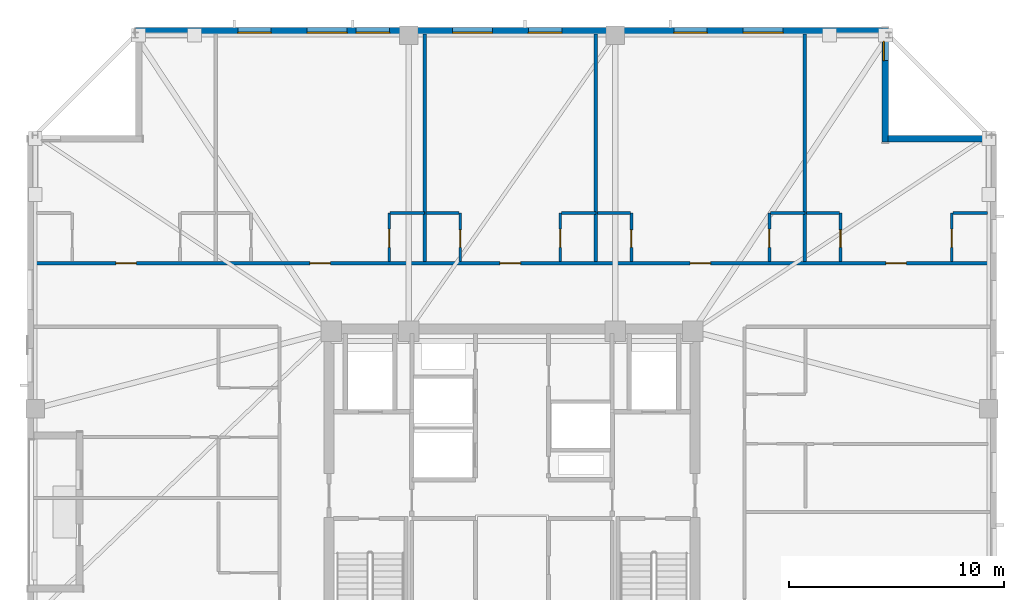
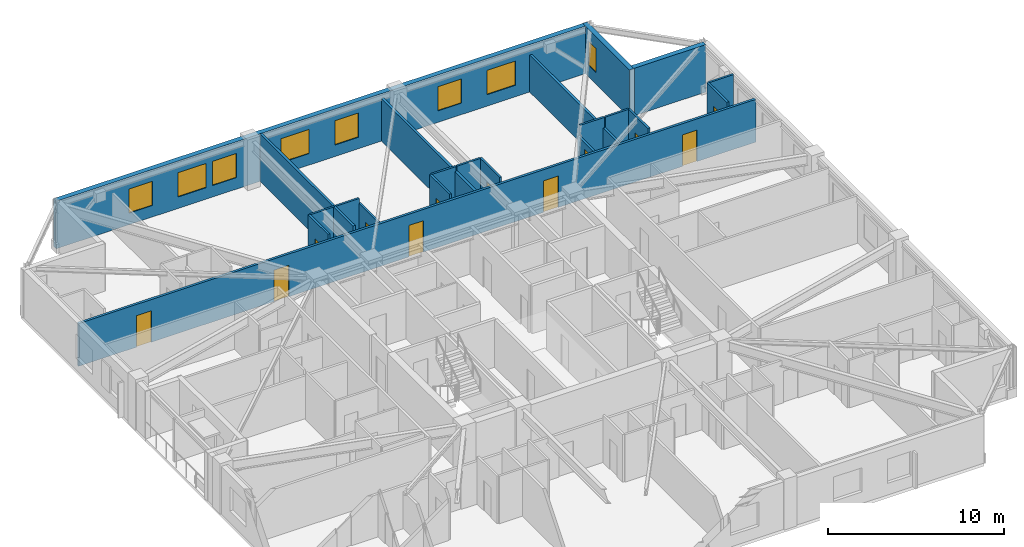
# One storey, part 11 of 17: 21 walls, 12 doors, 8 windows, 20 openings.
"""IFC4 building model written with IfcOpenShell, lengths in metres."""

from ifc_helpers import new_model, si_unit, direction, frame, frame_2d, origin, place, context, subcontext, project, spatial, rectangle, extrude, material, layer, layer_set, type_object, element, fill, save


model = new_model("IFC4")

# Units and contexts
model_context = context("Model", 3, precision=1e-05, world=origin(), true_north=direction((0.0, 1.0)))
body_context = subcontext(model_context, "Body", "Model", "MODEL_VIEW")
ifc_project = project(units=[si_unit("LENGTHUNIT", "METRE"), si_unit("AREAUNIT", "SQUARE_METRE"), si_unit("VOLUMEUNIT", "CUBIC_METRE"), si_unit("PLANEANGLEUNIT", "RADIAN"), si_unit("MASSUNIT", "GRAM", prefix="KILO")], contexts=[model_context])

# Site, building, storey
site_placement = place(None, origin())
site = spatial("IfcSite", under=ifc_project, at=site_placement, CompositionType="ELEMENT")
building_placement = place(site_placement, origin())
building = spatial("IfcBuilding", under=site, at=building_placement, Name="Cairnveth Concourse Tower", CompositionType="ELEMENT")
storey_placement = place(building_placement, frame((0.0, 0.0, 241.0)))
storey = spatial("IfcBuildingStorey", under=building, at=storey_placement, Name="L66", CompositionType="ELEMENT", Elevation=241.0)

# Wall, openings, doors
ifc_material_1 = material(Name="Gypsum Plasterboard Partition", Category="gypsum")
ifc_layer_1 = layer(ifc_material_1, 0.159912109375)
ifc_layer_set_1 = layer_set([ifc_layer_1], Name="Gypsum Plasterboard Partition")
wall_type_1 = type_object("IfcWallType", Name="ACOUSTIC PARTY WALL 180", PredefinedType="PARTITIONING", material=ifc_layer_set_1)
wall_1_placement = place(storey_placement, frame((29.804931640625, 50.5576171875, 0.0), z_axis=(0.0, 0.0, 1.0), x_axis=(1.0, 0.0, 0.0)))
wall_1 = element("IfcWall", 1, at=wall_1_placement, inside=storey, type_object=wall_type_1, Name="Interior Wall IW-L66-035", PredefinedType="PARTITIONING", context=body_context, shape_type="SweptSolid", body=[
    extrude(rectangle(XDim=44.39013671875, YDim=0.159912109375, at=frame_2d((22.195068359375, 0.0))), origin(), (0.0, 0.0, 1.0), 2.9580078125),
])
opening_1_placement = place(wall_1_placement, frame((3.791015625, 0.0, 0.0)))
opening_1 = element("IfcOpeningElement", 2, at=opening_1_placement, cuts=wall_1, Name="Opening ID10", PredefinedType="OPENING", context=body_context, shape_type="SweptSolid", body=[
    extrude(rectangle(XDim=0.9599609375, YDim=2.179931640625, at=frame_2d((0.47998046875, 1.08984375))), frame((0.0, 0.08984375, 0.0), z_axis=(0.0, -1.0, 0.0), x_axis=(1.0, 0.0, 0.0)), (0.0, 0.0, 1.0), 0.179931640625),
])
opening_2_placement = place(wall_1_placement, frame((12.802978515625, 0.0, 0.0)))
opening_2 = element("IfcOpeningElement", 3, at=opening_2_placement, cuts=wall_1, Name="Opening ID10", PredefinedType="OPENING", context=body_context, shape_type="SweptSolid", body=[
    extrude(rectangle(XDim=0.9599609375, YDim=2.179931640625, at=frame_2d((0.47998046875, 1.08984375))), frame((0.0, 0.08984375, 0.0), z_axis=(0.0, -1.0, 0.0), x_axis=(1.0, 0.0, 0.0)), (0.0, 0.0, 1.0), 0.179931640625),
])
opening_3_placement = place(wall_1_placement, frame((21.635009765625, 0.0, 0.0)))
opening_3 = element("IfcOpeningElement", 4, at=opening_3_placement, cuts=wall_1, Name="Opening ID10", PredefinedType="OPENING", context=body_context, shape_type="SweptSolid", body=[
    extrude(rectangle(XDim=0.9599609375, YDim=2.179931640625, at=frame_2d((0.47998046875, 1.08984375))), frame((0.0, 0.08984375, 0.0), z_axis=(0.0, -1.0, 0.0), x_axis=(1.0, 0.0, 0.0)), (0.0, 0.0, 1.0), 0.179931640625),
])
opening_4_placement = place(wall_1_placement, frame((30.467041015625, 0.0, 0.0)))
opening_4 = element("IfcOpeningElement", 5, at=opening_4_placement, cuts=wall_1, Name="Opening ID10", PredefinedType="OPENING", context=body_context, shape_type="SweptSolid", body=[
    extrude(rectangle(XDim=0.9599609375, YDim=2.179931640625, at=frame_2d((0.47998046875, 1.08984375))), frame((0.0, 0.08984375, 0.0), z_axis=(0.0, -1.0, 0.0), x_axis=(1.0, 0.0, 0.0)), (0.0, 0.0, 1.0), 0.179931640625),
])
opening_5_placement = place(wall_1_placement, frame((39.55908203125, 0.0, 0.0)))
opening_5 = element("IfcOpeningElement", 6, at=opening_5_placement, cuts=wall_1, Name="Opening ID10", PredefinedType="OPENING", context=body_context, shape_type="SweptSolid", body=[
    extrude(rectangle(XDim=0.9599609375, YDim=2.179931640625, at=frame_2d((0.47998046875, 1.08984375))), frame((0.0, 0.08984375, 0.0), z_axis=(0.0, -1.0, 0.0), x_axis=(1.0, 0.0, 0.0)), (0.0, 0.0, 1.0), 0.179931640625),
])
ifc_material_2 = material(Name="Solid Core Hardwood Timber Leaf", Category="wood")
door_type_1 = type_object("IfcDoorType", Name="FLAT ENTRANCE DOOR 960X2150", OperationType="NOTDEFINED", PredefinedType="DOOR", material=ifc_material_2)
door_1_placement = place(opening_1_placement, origin())
door_1 = element("IfcDoor", 7, at=door_1_placement, inside=storey, type_object=door_type_1, Name="Studio L66STN1 Entrance Door", OperationType="SINGLE_SWING_LEFT", OverallHeight=2.179931640625, OverallWidth=0.9599609375, PredefinedType="DOOR", context=body_context, shape_type="SweptSolid", body=[
    extrude(rectangle(XDim=0.9599609375, YDim=2.179931640625, at=frame_2d((0.47998046875, 1.08984375))), frame((0.0, 0.02490234375, 0.0), z_axis=(0.0, -1.0, 0.0), x_axis=(1.0, 0.0, 0.0)), (0.0, 0.0, 1.0), 0.050048828125),
])
fill(opening_1, door_1)
door_2_placement = place(opening_2_placement, origin())
door_2 = element("IfcDoor", 8, at=door_2_placement, inside=storey, type_object=door_type_1, Name="Studio L66STN2 Entrance Door", OperationType="SINGLE_SWING_RIGHT", OverallHeight=2.179931640625, OverallWidth=0.9599609375, PredefinedType="DOOR", context=body_context, shape_type="SweptSolid", body=[
    extrude(rectangle(XDim=0.9599609375, YDim=2.179931640625, at=frame_2d((0.47998046875, 1.08984375))), frame((0.0, 0.02490234375, 0.0), z_axis=(0.0, -1.0, 0.0), x_axis=(1.0, 0.0, 0.0)), (0.0, 0.0, 1.0), 0.050048828125),
])
fill(opening_2, door_2)
door_3_placement = place(opening_3_placement, origin())
door_3 = element("IfcDoor", 9, at=door_3_placement, inside=storey, type_object=door_type_1, Name="Studio L66STN3 Entrance Door", OperationType="SINGLE_SWING_LEFT", OverallHeight=2.179931640625, OverallWidth=0.9599609375, PredefinedType="DOOR", context=body_context, shape_type="SweptSolid", body=[
    extrude(rectangle(XDim=0.9599609375, YDim=2.179931640625, at=frame_2d((0.47998046875, 1.08984375))), frame((0.0, 0.02490234375, 0.0), z_axis=(0.0, -1.0, 0.0), x_axis=(1.0, 0.0, 0.0)), (0.0, 0.0, 1.0), 0.050048828125),
])
fill(opening_3, door_3)
door_4_placement = place(opening_4_placement, origin())
door_4 = element("IfcDoor", 10, at=door_4_placement, inside=storey, type_object=door_type_1, Name="Studio L66STN4 Entrance Door", OperationType="SINGLE_SWING_RIGHT", OverallHeight=2.179931640625, OverallWidth=0.9599609375, PredefinedType="DOOR", context=body_context, shape_type="SweptSolid", body=[
    extrude(rectangle(XDim=0.9599609375, YDim=2.179931640625, at=frame_2d((0.47998046875, 1.08984375))), frame((0.0, 0.02490234375, 0.0), z_axis=(0.0, -1.0, 0.0), x_axis=(1.0, 0.0, 0.0)), (0.0, 0.0, 1.0), 0.050048828125),
])
fill(opening_4, door_4)
door_5_placement = place(opening_5_placement, origin())
door_5 = element("IfcDoor", 11, at=door_5_placement, inside=storey, type_object=door_type_1, Name="Studio L66STN5 Entrance Door", OperationType="SINGLE_SWING_LEFT", OverallHeight=2.179931640625, OverallWidth=0.9599609375, PredefinedType="DOOR", context=body_context, shape_type="SweptSolid", body=[
    extrude(rectangle(XDim=0.9599609375, YDim=2.179931640625, at=frame_2d((0.47998046875, 1.08984375))), frame((0.0, 0.02490234375, 0.0), z_axis=(0.0, -1.0, 0.0), x_axis=(1.0, 0.0, 0.0)), (0.0, 0.0, 1.0), 0.050048828125),
])
fill(opening_5, door_5)

# Walls
wall_2_placement = place(storey_placement, frame((47.944091796875, 50.637451171875, 0.0), z_axis=(0.0, 0.0, 1.0), x_axis=(0.0, 1.0, 0.0)))
element("IfcWall", 12, at=wall_2_placement, inside=storey, type_object=wall_type_1, Name="Interior Wall IW-L66-080", PredefinedType="PARTITIONING", context=body_context, shape_type="SweptSolid", body=[
    extrude(rectangle(XDim=10.5576171875, YDim=0.159912109375, at=frame_2d((5.27880859375, 0.0))), origin(), (0.0, 0.0, 1.0), 3.2900390625),
])
wall_3_placement = place(storey_placement, frame((55.89599609375, 50.637451171875, 0.0), z_axis=(0.0, 0.0, 1.0), x_axis=(0.0, 1.0, 0.0)))
element("IfcWall", 13, at=wall_3_placement, inside=storey, type_object=wall_type_1, Name="Interior Wall IW-L66-085", PredefinedType="PARTITIONING", context=body_context, shape_type="SweptSolid", body=[
    extrude(rectangle(XDim=10.5576171875, YDim=0.159912109375, at=frame_2d((5.27880859375, 0.0))), origin(), (0.0, 0.0, 1.0), 2.9580078125),
])
wall_4_placement = place(storey_placement, frame((65.60791015625, 50.637451171875, 0.0), z_axis=(0.0, 0.0, 1.0), x_axis=(0.0, 1.0, 0.0)))
element("IfcWall", 14, at=wall_4_placement, inside=storey, type_object=wall_type_1, Name="Interior Wall IW-L66-090", PredefinedType="PARTITIONING", context=body_context, shape_type="SweptSolid", body=[
    extrude(rectangle(XDim=10.5576171875, YDim=0.159912109375, at=frame_2d((5.27880859375, 0.0))), origin(), (0.0, 0.0, 1.0), 2.572998046875),
])

# Wall, opening, door
ifc_layer_2 = layer(ifc_material_1, 0.1298828125)
ifc_layer_set_2 = layer_set([ifc_layer_2], Name="Gypsum Plasterboard Partition")
wall_type_2 = type_object("IfcWallType", Name="WET AREA PARTITION 140", PredefinedType="PLUMBINGWALL", material=ifc_layer_set_2)
wall_5_placement = place(storey_placement, frame((46.2939453125, 50.637451171875, 0.0), z_axis=(0.0, 0.0, 1.0), x_axis=(0.0, 1.0, 0.0)))
wall_5 = element("IfcWall", 15, at=wall_5_placement, inside=storey, type_object=wall_type_2, Name="Interior Wall IW-L66-078", PredefinedType="PLUMBINGWALL", context=body_context, shape_type="SweptSolid", body=[
    extrude(rectangle(XDim=2.25, YDim=0.1298828125, at=frame_2d((1.125, 0.0))), origin(), (0.0, 0.0, 1.0), 3.2900390625),
])
opening_6_placement = place(wall_5_placement, frame((0.64990234375, 0.0, 0.0)))
opening_6 = element("IfcOpeningElement", 16, at=opening_6_placement, cuts=wall_5, Name="Opening ID20", PredefinedType="OPENING", context=body_context, shape_type="SweptSolid", body=[
    extrude(rectangle(XDim=0.85009765625, YDim=2.10009765625, at=frame_2d((0.425048828125, 1.050048828125))), frame((0.0, 0.074951171875, 0.0), z_axis=(0.0, -1.0, 0.0), x_axis=(1.0, 0.0, 0.0)), (0.0, 0.0, 1.0), 0.14990234375),
])
door_type_2 = type_object("IfcDoorType", Name="INTERIOR SINGLE DOOR 850X2100", OperationType="NOTDEFINED", PredefinedType="DOOR", material=ifc_material_2)
door_6_placement = place(opening_6_placement, origin())
door_6 = element("IfcDoor", 17, at=door_6_placement, inside=storey, type_object=door_type_2, Name="L66STN2 Kitchen Door", OperationType="SINGLE_SWING_LEFT", OverallHeight=2.10009765625, OverallWidth=0.85009765625, PredefinedType="DOOR", context=body_context, shape_type="SweptSolid", body=[
    extrude(rectangle(XDim=0.85009765625, YDim=2.10009765625, at=frame_2d((0.425048828125, 1.050048828125))), frame((0.0, 0.02490234375, 0.0), z_axis=(0.0, -1.0, 0.0), x_axis=(1.0, 0.0, 0.0)), (0.0, 0.0, 1.0), 0.050048828125),
])
fill(opening_6, door_6)

# Wall
wall_6_placement = place(storey_placement, frame((46.343994140625, 52.887451171875, 0.0), z_axis=(0.0, 0.0, 1.0), x_axis=(1.0, 0.0, 0.0)))
element("IfcWall", 18, at=wall_6_placement, inside=storey, type_object=wall_type_2, Name="Interior Wall IW-L66-079", PredefinedType="PLUMBINGWALL", context=body_context, shape_type="SweptSolid", body=[
    extrude(rectangle(XDim=1.60009765625, YDim=0.1298828125, at=frame_2d((0.800048828125, 0.0))), origin(), (0.0, 0.0, 1.0), 3.2900390625),
])

# Wall, opening, door
wall_7_placement = place(storey_placement, frame((49.593994140625, 50.637451171875, 0.0), z_axis=(0.0, 0.0, 1.0), x_axis=(0.0, 1.0, 0.0)))
wall_7 = element("IfcWall", 19, at=wall_7_placement, inside=storey, type_object=wall_type_2, Name="Interior Wall IW-L66-081", PredefinedType="PLUMBINGWALL", context=body_context, shape_type="SweptSolid", body=[
    extrude(rectangle(XDim=2.25, YDim=0.1298828125, at=frame_2d((1.125, 0.0))), origin(), (0.0, 0.0, 1.0), 2.9580078125),
])
opening_7_placement = place(wall_7_placement, frame((0.64990234375, 0.0, 0.0)))
opening_7 = element("IfcOpeningElement", 20, at=opening_7_placement, cuts=wall_7, Name="Opening ID22", PredefinedType="OPENING", context=body_context, shape_type="SweptSolid", body=[
    extrude(rectangle(XDim=0.820068359375, YDim=2.10009765625, at=frame_2d((0.41015625, 1.050048828125))), frame((0.0, 0.074951171875, 0.0), z_axis=(0.0, -1.0, 0.0), x_axis=(1.0, 0.0, 0.0)), (0.0, 0.0, 1.0), 0.14990234375),
])
door_type_3 = type_object("IfcDoorType", Name="INTERIOR WC DOOR 820X2100", OperationType="NOTDEFINED", PredefinedType="DOOR", material=ifc_material_2)
door_7_placement = place(opening_7_placement, origin())
door_7 = element("IfcDoor", 21, at=door_7_placement, inside=storey, type_object=door_type_3, Name="L66STN3 Bathroom Door", OperationType="SINGLE_SWING_LEFT", OverallHeight=2.10009765625, OverallWidth=0.820068359375, PredefinedType="DOOR", context=body_context, shape_type="SweptSolid", body=[
    extrude(rectangle(XDim=0.820068359375, YDim=2.10009765625, at=frame_2d((0.41015625, 1.050048828125))), frame((0.0, 0.02490234375, 0.0), z_axis=(0.0, -1.0, 0.0), x_axis=(1.0, 0.0, 0.0)), (0.0, 0.0, 1.0), 0.050048828125),
])
fill(opening_7, door_7)

# Wall
wall_8_placement = place(storey_placement, frame((48.009033203125, 52.887451171875, 0.0), z_axis=(0.0, 0.0, 1.0), x_axis=(1.0, 0.0, 0.0)))
element("IfcWall", 22, at=wall_8_placement, inside=storey, type_object=wall_type_2, Name="Interior Wall IW-L66-082", PredefinedType="PLUMBINGWALL", context=body_context, shape_type="SweptSolid", body=[
    extrude(rectangle(XDim=1.534912109375, YDim=0.1298828125, at=frame_2d((0.767578125, 0.0))), origin(), (0.0, 0.0, 1.0), 3.2900390625),
])

# Wall, opening, door
wall_9_placement = place(storey_placement, frame((54.24609375, 50.637451171875, 0.0), z_axis=(0.0, 0.0, 1.0), x_axis=(0.0, 1.0, 0.0)))
wall_9 = element("IfcWall", 23, at=wall_9_placement, inside=storey, type_object=wall_type_2, Name="Interior Wall IW-L66-083", PredefinedType="PLUMBINGWALL", context=body_context, shape_type="SweptSolid", body=[
    extrude(rectangle(XDim=2.25, YDim=0.1298828125, at=frame_2d((1.125, 0.0))), origin(), (0.0, 0.0, 1.0), 3.2900390625),
])
opening_8_placement = place(wall_9_placement, frame((0.64990234375, 0.0, 0.0)))
opening_8 = element("IfcOpeningElement", 24, at=opening_8_placement, cuts=wall_9, Name="Opening ID20", PredefinedType="OPENING", context=body_context, shape_type="SweptSolid", body=[
    extrude(rectangle(XDim=0.85009765625, YDim=2.10009765625, at=frame_2d((0.425048828125, 1.050048828125))), frame((0.0, 0.074951171875, 0.0), z_axis=(0.0, -1.0, 0.0), x_axis=(1.0, 0.0, 0.0)), (0.0, 0.0, 1.0), 0.14990234375),
])
door_8_placement = place(opening_8_placement, origin())
door_8 = element("IfcDoor", 25, at=door_8_placement, inside=storey, type_object=door_type_2, Name="L66STN3 Kitchen Door", OperationType="SINGLE_SWING_RIGHT", OverallHeight=2.10009765625, OverallWidth=0.85009765625, PredefinedType="DOOR", context=body_context, shape_type="SweptSolid", body=[
    extrude(rectangle(XDim=0.85009765625, YDim=2.10009765625, at=frame_2d((0.425048828125, 1.050048828125))), frame((0.0, 0.02490234375, 0.0), z_axis=(0.0, -1.0, 0.0), x_axis=(1.0, 0.0, 0.0)), (0.0, 0.0, 1.0), 0.050048828125),
])
fill(opening_8, door_8)

# Wall
wall_10_placement = place(storey_placement, frame((54.2958984375, 52.887451171875, 0.0), z_axis=(0.0, 0.0, 1.0), x_axis=(1.0, 0.0, 0.0)))
element("IfcWall", 26, at=wall_10_placement, inside=storey, type_object=wall_type_2, Name="Interior Wall IW-L66-084", PredefinedType="PLUMBINGWALL", context=body_context, shape_type="SweptSolid", body=[
    extrude(rectangle(XDim=1.60009765625, YDim=0.1298828125, at=frame_2d((0.800048828125, 0.0))), origin(), (0.0, 0.0, 1.0), 3.2900390625),
])

# Wall, opening, door
wall_11_placement = place(storey_placement, frame((57.5458984375, 50.637451171875, 0.0), z_axis=(0.0, 0.0, 1.0), x_axis=(0.0, 1.0, 0.0)))
wall_11 = element("IfcWall", 27, at=wall_11_placement, inside=storey, type_object=wall_type_2, Name="Interior Wall IW-L66-086", PredefinedType="PLUMBINGWALL", context=body_context, shape_type="SweptSolid", body=[
    extrude(rectangle(XDim=2.25, YDim=0.1298828125, at=frame_2d((1.125, 0.0))), origin(), (0.0, 0.0, 1.0), 3.2900390625),
])
opening_9_placement = place(wall_11_placement, frame((0.64990234375, 0.0, 0.0)))
opening_9 = element("IfcOpeningElement", 28, at=opening_9_placement, cuts=wall_11, Name="Opening ID22", PredefinedType="OPENING", context=body_context, shape_type="SweptSolid", body=[
    extrude(rectangle(XDim=0.820068359375, YDim=2.10009765625, at=frame_2d((0.41015625, 1.050048828125))), frame((0.0, 0.074951171875, 0.0), z_axis=(0.0, -1.0, 0.0), x_axis=(1.0, 0.0, 0.0)), (0.0, 0.0, 1.0), 0.14990234375),
])
door_9_placement = place(opening_9_placement, origin())
door_9 = element("IfcDoor", 29, at=door_9_placement, inside=storey, type_object=door_type_3, Name="L66STN4 Bathroom Door", OperationType="SINGLE_SWING_RIGHT", OverallHeight=2.10009765625, OverallWidth=0.820068359375, PredefinedType="DOOR", context=body_context, shape_type="SweptSolid", body=[
    extrude(rectangle(XDim=0.820068359375, YDim=2.10009765625, at=frame_2d((0.41015625, 1.050048828125))), frame((0.0, 0.02490234375, 0.0), z_axis=(0.0, -1.0, 0.0), x_axis=(1.0, 0.0, 0.0)), (0.0, 0.0, 1.0), 0.050048828125),
])
fill(opening_9, door_9)

# Wall
wall_12_placement = place(storey_placement, frame((55.9609375, 52.887451171875, 0.0), z_axis=(0.0, 0.0, 1.0), x_axis=(1.0, 0.0, 0.0)))
element("IfcWall", 30, at=wall_12_placement, inside=storey, type_object=wall_type_2, Name="Interior Wall IW-L66-087", PredefinedType="PLUMBINGWALL", context=body_context, shape_type="SweptSolid", body=[
    extrude(rectangle(XDim=1.53515625, YDim=0.1298828125, at=frame_2d((0.767578125, 0.0))), origin(), (0.0, 0.0, 1.0), 3.2900390625),
])

# Wall, opening, door
wall_13_placement = place(storey_placement, frame((63.9580078125, 50.637451171875, 0.0), z_axis=(0.0, 0.0, 1.0), x_axis=(0.0, 1.0, 0.0)))
wall_13 = element("IfcWall", 31, at=wall_13_placement, inside=storey, type_object=wall_type_2, Name="Interior Wall IW-L66-088", PredefinedType="PLUMBINGWALL", context=body_context, shape_type="SweptSolid", body=[
    extrude(rectangle(XDim=2.25, YDim=0.1298828125, at=frame_2d((1.125, 0.0))), origin(), (0.0, 0.0, 1.0), 2.572998046875),
])
opening_10_placement = place(wall_13_placement, frame((0.64990234375, 0.0, 0.0)))
opening_10 = element("IfcOpeningElement", 32, at=opening_10_placement, cuts=wall_13, Name="Opening ID20", PredefinedType="OPENING", context=body_context, shape_type="SweptSolid", body=[
    extrude(rectangle(XDim=0.85009765625, YDim=2.10009765625, at=frame_2d((0.425048828125, 1.050048828125))), frame((0.0, 0.074951171875, 0.0), z_axis=(0.0, -1.0, 0.0), x_axis=(1.0, 0.0, 0.0)), (0.0, 0.0, 1.0), 0.14990234375),
])
door_10_placement = place(opening_10_placement, origin())
door_10 = element("IfcDoor", 33, at=door_10_placement, inside=storey, type_object=door_type_2, Name="L66STN4 Kitchen Door", OperationType="SINGLE_SWING_LEFT", OverallHeight=2.10009765625, OverallWidth=0.85009765625, PredefinedType="DOOR", context=body_context, shape_type="SweptSolid", body=[
    extrude(rectangle(XDim=0.85009765625, YDim=2.10009765625, at=frame_2d((0.425048828125, 1.050048828125))), frame((0.0, 0.02490234375, 0.0), z_axis=(0.0, -1.0, 0.0), x_axis=(1.0, 0.0, 0.0)), (0.0, 0.0, 1.0), 0.050048828125),
])
fill(opening_10, door_10)

# Wall
wall_14_placement = place(storey_placement, frame((64.008056640625, 52.887451171875, 0.0), z_axis=(0.0, 0.0, 1.0), x_axis=(1.0, 0.0, 0.0)))
element("IfcWall", 34, at=wall_14_placement, inside=storey, type_object=wall_type_2, Name="Interior Wall IW-L66-089", PredefinedType="PLUMBINGWALL", context=body_context, shape_type="SweptSolid", body=[
    extrude(rectangle(XDim=1.599853515625, YDim=0.1298828125, at=frame_2d((0.7998046875, 0.0))), origin(), (0.0, 0.0, 1.0), 3.2900390625),
])

# Wall, opening, door
wall_15_placement = place(storey_placement, frame((67.258056640625, 50.637451171875, 0.0), z_axis=(0.0, 0.0, 1.0), x_axis=(0.0, 1.0, 0.0)))
wall_15 = element("IfcWall", 35, at=wall_15_placement, inside=storey, type_object=wall_type_2, Name="Interior Wall IW-L66-091", PredefinedType="PLUMBINGWALL", context=body_context, shape_type="SweptSolid", body=[
    extrude(rectangle(XDim=2.25, YDim=0.1298828125, at=frame_2d((1.125, 0.0))), origin(), (0.0, 0.0, 1.0), 3.2900390625),
])
opening_11_placement = place(wall_15_placement, frame((0.64990234375, 0.0, 0.0)))
opening_11 = element("IfcOpeningElement", 36, at=opening_11_placement, cuts=wall_15, Name="Opening ID22", PredefinedType="OPENING", context=body_context, shape_type="SweptSolid", body=[
    extrude(rectangle(XDim=0.820068359375, YDim=2.10009765625, at=frame_2d((0.41015625, 1.050048828125))), frame((0.0, 0.074951171875, 0.0), z_axis=(0.0, -1.0, 0.0), x_axis=(1.0, 0.0, 0.0)), (0.0, 0.0, 1.0), 0.14990234375),
])
door_11_placement = place(opening_11_placement, origin())
door_11 = element("IfcDoor", 37, at=door_11_placement, inside=storey, type_object=door_type_3, Name="L66STN5 Bathroom Door", OperationType="SINGLE_SWING_LEFT", OverallHeight=2.10009765625, OverallWidth=0.820068359375, PredefinedType="DOOR", context=body_context, shape_type="SweptSolid", body=[
    extrude(rectangle(XDim=0.820068359375, YDim=2.10009765625, at=frame_2d((0.41015625, 1.050048828125))), frame((0.0, 0.02490234375, 0.0), z_axis=(0.0, -1.0, 0.0), x_axis=(1.0, 0.0, 0.0)), (0.0, 0.0, 1.0), 0.050048828125),
])
fill(opening_11, door_11)

# Wall
wall_16_placement = place(storey_placement, frame((65.673095703125, 52.887451171875, 0.0), z_axis=(0.0, 0.0, 1.0), x_axis=(1.0, 0.0, 0.0)))
element("IfcWall", 38, at=wall_16_placement, inside=storey, type_object=wall_type_2, Name="Interior Wall IW-L66-092", PredefinedType="PLUMBINGWALL", context=body_context, shape_type="SweptSolid", body=[
    extrude(rectangle(XDim=1.534912109375, YDim=0.1298828125, at=frame_2d((0.767578125, 0.0))), origin(), (0.0, 0.0, 1.0), 3.2900390625),
])

# Wall, opening, door
wall_17_placement = place(storey_placement, frame((72.429931640625, 50.637451171875, 0.0), z_axis=(0.0, 0.0, 1.0), x_axis=(0.0, 1.0, 0.0)))
wall_17 = element("IfcWall", 39, at=wall_17_placement, inside=storey, type_object=wall_type_2, Name="Interior Wall IW-L66-093", PredefinedType="PLUMBINGWALL", context=body_context, shape_type="SweptSolid", body=[
    extrude(rectangle(XDim=2.25, YDim=0.1298828125, at=frame_2d((1.125, 0.0))), origin(), (0.0, 0.0, 1.0), 3.2900390625),
])
opening_12_placement = place(wall_17_placement, frame((0.64990234375, 0.0, 0.0)))
opening_12 = element("IfcOpeningElement", 40, at=opening_12_placement, cuts=wall_17, Name="Opening ID20", PredefinedType="OPENING", context=body_context, shape_type="SweptSolid", body=[
    extrude(rectangle(XDim=0.85009765625, YDim=2.10009765625, at=frame_2d((0.425048828125, 1.050048828125))), frame((0.0, 0.074951171875, 0.0), z_axis=(0.0, -1.0, 0.0), x_axis=(1.0, 0.0, 0.0)), (0.0, 0.0, 1.0), 0.14990234375),
])
door_12_placement = place(opening_12_placement, origin())
door_12 = element("IfcDoor", 41, at=door_12_placement, inside=storey, type_object=door_type_2, Name="L66STN5 Kitchen Door", OperationType="SINGLE_SWING_RIGHT", OverallHeight=2.10009765625, OverallWidth=0.85009765625, PredefinedType="DOOR", context=body_context, shape_type="SweptSolid", body=[
    extrude(rectangle(XDim=0.85009765625, YDim=2.10009765625, at=frame_2d((0.425048828125, 1.050048828125))), frame((0.0, 0.02490234375, 0.0), z_axis=(0.0, -1.0, 0.0), x_axis=(1.0, 0.0, 0.0)), (0.0, 0.0, 1.0), 0.050048828125),
])
fill(opening_12, door_12)

# Wall
wall_18_placement = place(storey_placement, frame((72.47998046875, 52.887451171875, 0.0), z_axis=(0.0, 0.0, 1.0), x_axis=(1.0, 0.0, 0.0)))
element("IfcWall", 42, at=wall_18_placement, inside=storey, type_object=wall_type_2, Name="Interior Wall IW-L66-094", PredefinedType="PLUMBINGWALL", context=body_context, shape_type="SweptSolid", body=[
    extrude(rectangle(XDim=1.60009765625, YDim=0.1298828125, at=frame_2d((0.800048828125, 0.0))), origin(), (0.0, 0.0, 1.0), 3.2900390625),
])

# Wall, openings, windows
ifc_material_3 = material(Name="Melbourne Buff Fired Clay Brick Masonry", Category="masonry")
ifc_layer_3 = layer(ifc_material_3, 0.320068359375)
ifc_layer_set_3 = layer_set([ifc_layer_3], Name="Melbourne Buff Fired Clay Brick Masonry")
wall_type_3 = type_object("IfcWallType", Name="ZONE 3 BRICK PIER SPANDREL WALL 320", PredefinedType="SOLIDWALL", material=ifc_layer_set_3)
wall_19_placement = place(storey_placement, frame((34.5, 61.340087890625, 0.0), z_axis=(0.0, 0.0, 1.0), x_axis=(1.0, 0.0, 0.0)))
wall_19 = element("IfcWall", 43, at=wall_19_placement, inside=storey, type_object=wall_type_3, Name="Exterior Wall EW-L66-S03", PredefinedType="SOLIDWALL", context=body_context, shape_type="SweptSolid", body=[
    extrude(rectangle(XDim=34.701904296875, YDim=0.320068359375, at=frame_2d((17.35107421875, 0.0))), origin(), (0.0, 0.0, 1.0), 3.2900390625),
])
opening_13_placement = place(wall_19_placement, frame((4.7626953125, 0.0, 0.800048828125)))
opening_13 = element("IfcOpeningElement", 44, at=opening_13_placement, cuts=wall_19, Name="Opening W07", PredefinedType="OPENING", context=body_context, shape_type="SweptSolid", body=[
    extrude(rectangle(XDim=1.550048828125, YDim=1.677978515625, at=frame_2d((0.77490234375, 0.8388671875))), frame((0.0, 0.169921875, 0.0), z_axis=(0.0, -1.0, 0.0), x_axis=(1.0, 0.0, 0.0)), (0.0, 0.0, 1.0), 0.340087890625),
])
opening_14_placement = place(wall_19_placement, frame((7.98779296875, 0.0, 0.800048828125)))
opening_14 = element("IfcOpeningElement", 45, at=opening_14_placement, cuts=wall_19, Name="Opening W08", PredefinedType="OPENING", context=body_context, shape_type="SweptSolid", body=[
    extrude(rectangle(XDim=1.85009765625, YDim=1.677978515625, at=frame_2d((0.925048828125, 0.8388671875))), frame((0.0, 0.169921875, 0.0), z_axis=(0.0, -1.0, 0.0), x_axis=(1.0, 0.0, 0.0)), (0.0, 0.0, 1.0), 0.340087890625),
])
opening_15_placement = place(wall_19_placement, frame((10.26318359375, 0.0, 0.800048828125)))
opening_15 = element("IfcOpeningElement", 46, at=opening_15_placement, cuts=wall_19, Name="Opening W07", PredefinedType="OPENING", context=body_context, shape_type="SweptSolid", body=[
    extrude(rectangle(XDim=1.550048828125, YDim=1.677978515625, at=frame_2d((0.77490234375, 0.8388671875))), frame((0.0, 0.169921875, 0.0), z_axis=(0.0, -1.0, 0.0), x_axis=(1.0, 0.0, 0.0)), (0.0, 0.0, 1.0), 0.340087890625),
])
opening_16_placement = place(wall_19_placement, frame((14.73828125, 0.0, 0.800048828125)))
opening_16 = element("IfcOpeningElement", 47, at=opening_16_placement, cuts=wall_19, Name="Opening W08", PredefinedType="OPENING", context=body_context, shape_type="SweptSolid", body=[
    extrude(rectangle(XDim=1.85009765625, YDim=1.677978515625, at=frame_2d((0.925048828125, 0.8388671875))), frame((0.0, 0.169921875, 0.0), z_axis=(0.0, -1.0, 0.0), x_axis=(1.0, 0.0, 0.0)), (0.0, 0.0, 1.0), 0.340087890625),
])
opening_17_placement = place(wall_19_placement, frame((18.263671875, 0.0, 0.800048828125)))
opening_17 = element("IfcOpeningElement", 48, at=opening_17_placement, cuts=wall_19, Name="Opening W07", PredefinedType="OPENING", context=body_context, shape_type="SweptSolid", body=[
    extrude(rectangle(XDim=1.550048828125, YDim=1.677978515625, at=frame_2d((0.77490234375, 0.8388671875))), frame((0.0, 0.169921875, 0.0), z_axis=(0.0, -1.0, 0.0), x_axis=(1.0, 0.0, 0.0)), (0.0, 0.0, 1.0), 0.340087890625),
])
opening_18_placement = place(wall_19_placement, frame((25.01416015625, 0.0, 0.800048828125)))
opening_18 = element("IfcOpeningElement", 49, at=opening_18_placement, cuts=wall_19, Name="Opening W07", PredefinedType="OPENING", context=body_context, shape_type="SweptSolid", body=[
    extrude(rectangle(XDim=1.550048828125, YDim=1.677978515625, at=frame_2d((0.77490234375, 0.8388671875))), frame((0.0, 0.169921875, 0.0), z_axis=(0.0, -1.0, 0.0), x_axis=(1.0, 0.0, 0.0)), (0.0, 0.0, 1.0), 0.340087890625),
])
opening_19_placement = place(wall_19_placement, frame((28.239501953125, 0.0, 0.800048828125)))
opening_19 = element("IfcOpeningElement", 50, at=opening_19_placement, cuts=wall_19, Name="Opening W08", PredefinedType="OPENING", context=body_context, shape_type="SweptSolid", body=[
    extrude(rectangle(XDim=1.85009765625, YDim=1.677978515625, at=frame_2d((0.925048828125, 0.8388671875))), frame((0.0, 0.169921875, 0.0), z_axis=(0.0, -1.0, 0.0), x_axis=(1.0, 0.0, 0.0)), (0.0, 0.0, 1.0), 0.340087890625),
])
ifc_material_4 = material(Name="Double Glazed Low-E Clear Glass", Category="glass")
window_type_1 = type_object("IfcWindowType", Name="DEEP-SET APARTMENT LIVING WINDOW 1850X1850", PartitioningType="DOUBLE_PANEL_VERTICAL", PredefinedType="WINDOW", material=ifc_material_4)
window_1_placement = place(opening_14_placement, origin())
window_1 = element("IfcWindow", 51, at=window_1_placement, inside=storey, type_object=window_type_1, Name="Gothic Lancet Window L66-3-2", OverallHeight=1.677978515625, OverallWidth=1.85009765625, PartitioningType="SINGLE_PANEL", PredefinedType="WINDOW", context=body_context, shape_type="SweptSolid", body=[
    extrude(rectangle(XDim=1.85009765625, YDim=1.677978515625, at=frame_2d((0.925048828125, 0.8388671875))), frame((0.0, -0.050048828125, 0.0), z_axis=(0.0, -1.0, 0.0), x_axis=(1.0, 0.0, 0.0)), (0.0, 0.0, 1.0), 0.06005859375),
])
fill(opening_14, window_1)
window_2_placement = place(opening_16_placement, origin())
window_2 = element("IfcWindow", 52, at=window_2_placement, inside=storey, type_object=window_type_1, Name="Gothic Lancet Window L66-3-4", OverallHeight=1.677978515625, OverallWidth=1.85009765625, PartitioningType="SINGLE_PANEL", PredefinedType="WINDOW", context=body_context, shape_type="SweptSolid", body=[
    extrude(rectangle(XDim=1.85009765625, YDim=1.677978515625, at=frame_2d((0.925048828125, 0.8388671875))), frame((0.0, -0.050048828125, 0.0), z_axis=(0.0, -1.0, 0.0), x_axis=(1.0, 0.0, 0.0)), (0.0, 0.0, 1.0), 0.06005859375),
])
fill(opening_16, window_2)
window_3_placement = place(opening_19_placement, origin())
window_3 = element("IfcWindow", 53, at=window_3_placement, inside=storey, type_object=window_type_1, Name="Gothic Lancet Window L66-3-8", OverallHeight=1.677978515625, OverallWidth=1.85009765625, PartitioningType="SINGLE_PANEL", PredefinedType="WINDOW", context=body_context, shape_type="SweptSolid", body=[
    extrude(rectangle(XDim=1.85009765625, YDim=1.677978515625, at=frame_2d((0.925048828125, 0.8388671875))), frame((0.0, -0.050048828125, 0.0), z_axis=(0.0, -1.0, 0.0), x_axis=(1.0, 0.0, 0.0)), (0.0, 0.0, 1.0), 0.06005859375),
])
fill(opening_19, window_3)
window_type_2 = type_object("IfcWindowType", Name="DEEP-SET APARTMENT WINDOW 1550X1800", PartitioningType="DOUBLE_PANEL_VERTICAL", PredefinedType="WINDOW", material=ifc_material_4)
window_4_placement = place(opening_13_placement, origin())
window_4 = element("IfcWindow", 54, at=window_4_placement, inside=storey, type_object=window_type_2, Name="Gothic Lancet Window L66-3-1", OverallHeight=1.677978515625, OverallWidth=1.550048828125, PartitioningType="SINGLE_PANEL", PredefinedType="WINDOW", context=body_context, shape_type="SweptSolid", body=[
    extrude(rectangle(XDim=1.550048828125, YDim=1.677978515625, at=frame_2d((0.77490234375, 0.8388671875))), frame((0.0, -0.050048828125, 0.0), z_axis=(0.0, -1.0, 0.0), x_axis=(1.0, 0.0, 0.0)), (0.0, 0.0, 1.0), 0.06005859375),
])
fill(opening_13, window_4)
window_5_placement = place(opening_15_placement, origin())
window_5 = element("IfcWindow", 55, at=window_5_placement, inside=storey, type_object=window_type_2, Name="Gothic Lancet Window L66-3-3", OverallHeight=1.677978515625, OverallWidth=1.550048828125, PartitioningType="SINGLE_PANEL", PredefinedType="WINDOW", context=body_context, shape_type="SweptSolid", body=[
    extrude(rectangle(XDim=1.550048828125, YDim=1.677978515625, at=frame_2d((0.77490234375, 0.8388671875))), frame((0.0, -0.050048828125, 0.0), z_axis=(0.0, -1.0, 0.0), x_axis=(1.0, 0.0, 0.0)), (0.0, 0.0, 1.0), 0.06005859375),
])
fill(opening_15, window_5)
window_6_placement = place(opening_17_placement, origin())
window_6 = element("IfcWindow", 56, at=window_6_placement, inside=storey, type_object=window_type_2, Name="Gothic Lancet Window L66-3-5", OverallHeight=1.677978515625, OverallWidth=1.550048828125, PartitioningType="SINGLE_PANEL", PredefinedType="WINDOW", context=body_context, shape_type="SweptSolid", body=[
    extrude(rectangle(XDim=1.550048828125, YDim=1.677978515625, at=frame_2d((0.77490234375, 0.8388671875))), frame((0.0, -0.050048828125, 0.0), z_axis=(0.0, -1.0, 0.0), x_axis=(1.0, 0.0, 0.0)), (0.0, 0.0, 1.0), 0.06005859375),
])
fill(opening_17, window_6)
window_7_placement = place(opening_18_placement, origin())
window_7 = element("IfcWindow", 57, at=window_7_placement, inside=storey, type_object=window_type_2, Name="Gothic Lancet Window L66-3-7", OverallHeight=1.677978515625, OverallWidth=1.550048828125, PartitioningType="SINGLE_PANEL", PredefinedType="WINDOW", context=body_context, shape_type="SweptSolid", body=[
    extrude(rectangle(XDim=1.550048828125, YDim=1.677978515625, at=frame_2d((0.77490234375, 0.8388671875))), frame((0.0, -0.050048828125, 0.0), z_axis=(0.0, -1.0, 0.0), x_axis=(1.0, 0.0, 0.0)), (0.0, 0.0, 1.0), 0.06005859375),
])
fill(opening_18, window_7)

# Wall, opening, window
wall_20_placement = place(storey_placement, frame((69.340087890625, 61.5, 0.0), z_axis=(0.0, 0.0, 1.0), x_axis=(0.0, -1.0, 0.0)))
wall_20 = element("IfcWall", 58, at=wall_20_placement, inside=storey, type_object=wall_type_3, Name="Exterior Wall EW-L66-S04", PredefinedType="SOLIDWALL", context=body_context, shape_type="SweptSolid", body=[
    extrude(rectangle(XDim=5.320068359375, YDim=0.320068359375, at=frame_2d((2.66015625, 0.0))), origin(), (0.0, 0.0, 1.0), 3.2900390625),
])
opening_20_placement = place(wall_20_placement, frame((0.6298828125, 0.0, 0.800048828125)))
opening_20 = element("IfcOpeningElement", 59, at=opening_20_placement, cuts=wall_20, Name="Opening W13", PredefinedType="OPENING", context=body_context, shape_type="SweptSolid", body=[
    extrude(rectangle(XDim=0.89990234375, YDim=1.677978515625, at=frame_2d((0.449951171875, 0.8388671875))), frame((0.0, 0.169921875, 0.0), z_axis=(0.0, -1.0, 0.0), x_axis=(1.0, 0.0, 0.0)), (0.0, 0.0, 1.0), 0.340087890625),
])
window_type_3 = type_object("IfcWindowType", Name="DEEP-SET BEDROOM LANCET WINDOW 900X1750", PartitioningType="DOUBLE_PANEL_VERTICAL", PredefinedType="WINDOW", material=ifc_material_4)
window_8_placement = place(opening_20_placement, origin())
window_8 = element("IfcWindow", 60, at=window_8_placement, inside=storey, type_object=window_type_3, Name="Dwelling Lancet Window L66-DW4", OverallHeight=1.677978515625, OverallWidth=0.89990234375, PartitioningType="SINGLE_PANEL", PredefinedType="WINDOW", context=body_context, shape_type="SweptSolid", body=[
    extrude(rectangle(XDim=0.89990234375, YDim=1.677978515625, at=frame_2d((0.449951171875, 0.8388671875))), frame((0.0, -0.0400390625, 0.0), z_axis=(0.0, -1.0, 0.0), x_axis=(1.0, 0.0, 0.0)), (0.0, 0.0, 1.0), 0.06005859375),
])
fill(opening_20, window_8)

# Wall
wall_21_placement = place(storey_placement, frame((69.47802734375, 56.340087890625, 0.0), z_axis=(0.0, 0.0, 1.0), x_axis=(1.0, 0.0, 0.0)))
element("IfcWall", 61, at=wall_21_placement, inside=storey, type_object=wall_type_3, Name="Exterior Wall EW-L66-S05", PredefinedType="SOLIDWALL", context=body_context, shape_type="SweptSolid", body=[
    extrude(rectangle(XDim=4.723876953125, YDim=0.320068359375, at=frame_2d((2.36181640625, 0.0))), origin(), (0.0, 0.0, 1.0), 3.2900390625),
])

save(model, "model.ifc")
